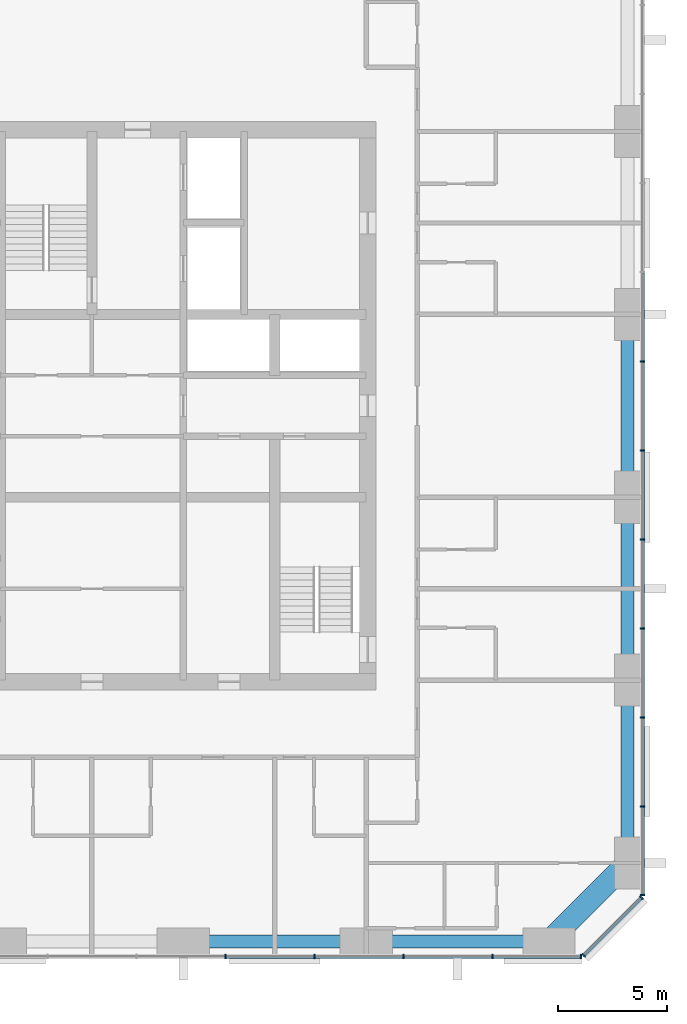
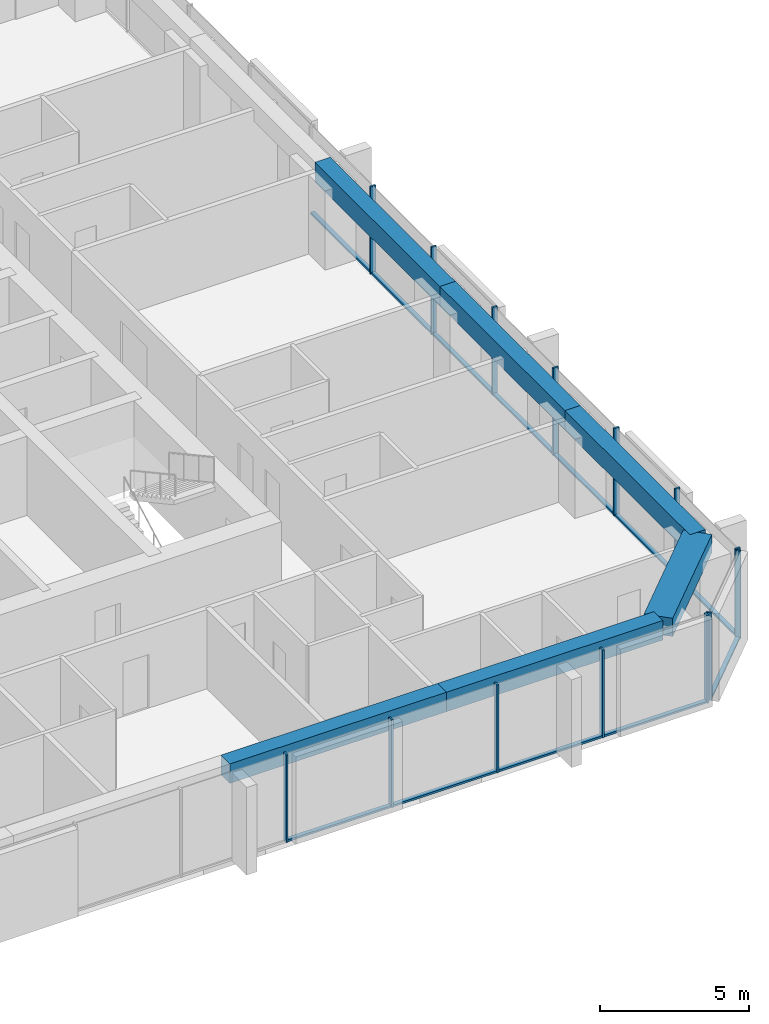
# One storey, part 4 of 13: 26 members, 6 beams, 3 elements without a shape of their own.
"""IFC4 building model written with IfcOpenShell, lengths in metres."""

from ifc_helpers import new_model, si_unit, direction, frame, origin, origin_2d, place, context, subcontext, project, spatial, rectangle, extrude, material, material_profile, profile_set, type_object, element, aggregate, save


model = new_model("IFC4")

# Units and contexts
model_context = context("Model", 3, precision=1e-05, world=origin(), true_north=direction((0.0, 1.0)))
body_context = subcontext(model_context, "Body", "Model", "MODEL_VIEW")
ifc_project = project(units=[si_unit("LENGTHUNIT", "METRE"), si_unit("AREAUNIT", "SQUARE_METRE"), si_unit("VOLUMEUNIT", "CUBIC_METRE"), si_unit("PLANEANGLEUNIT", "RADIAN"), si_unit("MASSUNIT", "GRAM", prefix="KILO")], contexts=[model_context])

# Site, building, storey
site_placement = place(None, origin())
site = spatial("IfcSite", under=ifc_project, at=site_placement, CompositionType="ELEMENT")
building_placement = place(site_placement, origin())
building = spatial("IfcBuilding", under=site, at=building_placement, Name="Dunama Terrace Hotel", CompositionType="ELEMENT")
storey_placement = place(building_placement, frame((0.0, 0.0, 169.800048828125)))
storey = spatial("IfcBuildingStorey", under=building, at=storey_placement, Name="L43", CompositionType="ELEMENT", Elevation=169.800048828125)

# Curtain wall, members
ifc_material_1 = material(Name="Aluminium curtain wall system", Category="aluminium")
curtain_wall_type = type_object("IfcCurtainWallType", Name="Unitised fritted glass wall CW-C", PredefinedType="NOTDEFINED", material=ifc_material_1)
curtain_wall_1_placement = place(storey_placement, origin())
curtain_wall_1 = element("IfcCurtainWall", 1, at=curtain_wall_1_placement, inside=storey, type_object=curtain_wall_type, Name="Unitised fritted glass wall CW-C L43", PredefinedType="NOTDEFINED")
ifc_material_2 = material(Name="Aluminium mullion", Category="aluminium")
ifc_material_profile_1 = material_profile(ifc_material_2, rectangle(XDim=0.070068359375, YDim=0.199951171875, at=origin_2d()), Name="CWC MULLION 70X200")
ifc_profile_set_1 = profile_set([ifc_material_profile_1], Name="Aluminium mullion")
member_type_1 = type_object("IfcMemberType", Name="CWC mullion 70x200", PredefinedType="MULLION", material=ifc_profile_set_1)
member_1_placement = place(storey_placement, frame((35.535888671875, 4.10009765625, 0.0), z_axis=(0.0, 0.0, 1.0), x_axis=(1.0, 0.0, 0.0)))
member_1 = element("IfcMember", 2, at=member_1_placement, type_object=member_type_1, Name="CWC mullion", PredefinedType="MULLION", context=body_context, shape_type="SweptSolid", body=[
    extrude(rectangle(XDim=0.070068359375, YDim=0.199951171875, at=origin_2d()), origin(), (0.0, 0.0, 1.0), 3.599853515625),
])
member_2_placement = place(storey_placement, frame((39.626953125, 4.10009765625, 0.0), z_axis=(0.0, 0.0, 1.0), x_axis=(1.0, 0.0, 0.0)))
member_2 = element("IfcMember", 3, at=member_2_placement, type_object=member_type_1, Name="CWC mullion", PredefinedType="MULLION", context=body_context, shape_type="SweptSolid", body=[
    extrude(rectangle(XDim=0.070068359375, YDim=0.199951171875, at=origin_2d()), origin(), (0.0, 0.0, 1.0), 3.599853515625),
])
member_3_placement = place(storey_placement, frame((43.718017578125, 4.10009765625, 0.0), z_axis=(0.0, 0.0, 1.0), x_axis=(1.0, 0.0, 0.0)))
member_3 = element("IfcMember", 4, at=member_3_placement, type_object=member_type_1, Name="CWC mullion", PredefinedType="MULLION", context=body_context, shape_type="SweptSolid", body=[
    extrude(rectangle(XDim=0.070068359375, YDim=0.199951171875, at=origin_2d()), origin(), (0.0, 0.0, 1.0), 3.599853515625),
])
member_4_placement = place(storey_placement, frame((47.80908203125, 4.10009765625, 0.0), z_axis=(0.0, 0.0, 1.0), x_axis=(1.0, 0.0, 0.0)))
member_4 = element("IfcMember", 5, at=member_4_placement, type_object=member_type_1, Name="CWC mullion", PredefinedType="MULLION", context=body_context, shape_type="SweptSolid", body=[
    extrude(rectangle(XDim=0.070068359375, YDim=0.199951171875, at=origin_2d()), origin(), (0.0, 0.0, 1.0), 3.599853515625),
])
member_5_placement = place(storey_placement, frame((51.864990234375, 4.10009765625, 0.0), z_axis=(0.0, 0.0, 1.0), x_axis=(1.0, 0.0, 0.0)))
member_5 = element("IfcMember", 6, at=member_5_placement, type_object=member_type_1, Name="CWC mullion", PredefinedType="MULLION", context=body_context, shape_type="SweptSolid", body=[
    extrude(rectangle(XDim=0.070068359375, YDim=0.199951171875, at=origin_2d()), origin(), (0.0, 0.0, 1.0), 3.599853515625),
])

curtain_wall_2_placement = place(storey_placement, origin())
curtain_wall_2 = element("IfcCurtainWall", 7, at=curtain_wall_2_placement, inside=storey, type_object=curtain_wall_type, Name="Unitised fritted glass wall CW-C L43", PredefinedType="NOTDEFINED")
member_6_placement = place(storey_placement, frame((51.9951171875, 4.154052734375, 0.0), z_axis=(0.0, 0.0, 1.0), x_axis=(0.707106781187, 0.707106781187, 0.0)))
member_6 = element("IfcMember", 8, at=member_6_placement, type_object=member_type_1, Name="CWC mullion", PredefinedType="MULLION", context=body_context, shape_type="SweptSolid", body=[
    extrude(rectangle(XDim=0.070068359375, YDim=0.199951171875, at=origin_2d()), origin(), (0.0, 0.0, 1.0), 3.599853515625),
])
member_7_placement = place(storey_placement, frame((54.64599609375, 6.804931640625, 0.0), z_axis=(0.0, 0.0, 1.0), x_axis=(0.707106781187, 0.707106781187, 0.0)))
member_7 = element("IfcMember", 9, at=member_7_placement, type_object=member_type_1, Name="CWC mullion", PredefinedType="MULLION", context=body_context, shape_type="SweptSolid", body=[
    extrude(rectangle(XDim=0.070068359375, YDim=0.199951171875, at=origin_2d()), origin(), (0.0, 0.0, 1.0), 3.599853515625),
])

curtain_wall_3_placement = place(storey_placement, origin())
curtain_wall_3 = element("IfcCurtainWall", 10, at=curtain_wall_3_placement, inside=storey, type_object=curtain_wall_type, Name="Unitised fritted glass wall CW-C L43", PredefinedType="NOTDEFINED")
member_8_placement = place(storey_placement, frame((54.699951171875, 6.93505859375, 0.0), z_axis=(0.0, 0.0, 1.0), x_axis=(0.0, 1.0, 0.0)))
member_8 = element("IfcMember", 11, at=member_8_placement, type_object=member_type_1, Name="CWC mullion", PredefinedType="MULLION", context=body_context, shape_type="SweptSolid", body=[
    extrude(rectangle(XDim=0.070068359375, YDim=0.199951171875, at=origin_2d()), origin(), (0.0, 0.0, 1.0), 3.599853515625),
])
member_9_placement = place(storey_placement, frame((54.699951171875, 10.990966796875, 0.0), z_axis=(0.0, 0.0, 1.0), x_axis=(0.0, 1.0, 0.0)))
member_9 = element("IfcMember", 12, at=member_9_placement, type_object=member_type_1, Name="CWC mullion", PredefinedType="MULLION", context=body_context, shape_type="SweptSolid", body=[
    extrude(rectangle(XDim=0.070068359375, YDim=0.199951171875, at=origin_2d()), origin(), (0.0, 0.0, 1.0), 3.599853515625),
])
member_10_placement = place(storey_placement, frame((54.699951171875, 15.08203125, 0.0), z_axis=(0.0, 0.0, 1.0), x_axis=(0.0, 1.0, 0.0)))
member_10 = element("IfcMember", 13, at=member_10_placement, type_object=member_type_1, Name="CWC mullion", PredefinedType="MULLION", context=body_context, shape_type="SweptSolid", body=[
    extrude(rectangle(XDim=0.070068359375, YDim=0.199951171875, at=origin_2d()), origin(), (0.0, 0.0, 1.0), 3.599853515625),
])
member_11_placement = place(storey_placement, frame((54.699951171875, 19.173095703125, 0.0), z_axis=(0.0, 0.0, 1.0), x_axis=(0.0, 1.0, 0.0)))
member_11 = element("IfcMember", 14, at=member_11_placement, type_object=member_type_1, Name="CWC mullion", PredefinedType="MULLION", context=body_context, shape_type="SweptSolid", body=[
    extrude(rectangle(XDim=0.070068359375, YDim=0.199951171875, at=origin_2d()), origin(), (0.0, 0.0, 1.0), 3.599853515625),
])
member_12_placement = place(storey_placement, frame((54.699951171875, 23.263916015625, 0.0), z_axis=(0.0, 0.0, 1.0), x_axis=(0.0, 1.0, 0.0)))
member_12 = element("IfcMember", 15, at=member_12_placement, type_object=member_type_1, Name="CWC mullion", PredefinedType="MULLION", context=body_context, shape_type="SweptSolid", body=[
    extrude(rectangle(XDim=0.070068359375, YDim=0.199951171875, at=origin_2d()), origin(), (0.0, 0.0, 1.0), 3.599853515625),
])
member_13_placement = place(storey_placement, frame((54.699951171875, 27.35498046875, 0.0), z_axis=(0.0, 0.0, 1.0), x_axis=(0.0, 1.0, 0.0)))
member_13 = element("IfcMember", 16, at=member_13_placement, type_object=member_type_1, Name="CWC mullion", PredefinedType="MULLION", context=body_context, shape_type="SweptSolid", body=[
    extrude(rectangle(XDim=0.070068359375, YDim=0.199951171875, at=origin_2d()), origin(), (0.0, 0.0, 1.0), 3.599853515625),
])
member_14_placement = place(storey_placement, frame((54.699951171875, 31.445068359375, 0.0), z_axis=(0.0, 0.0, 1.0), x_axis=(0.0, 1.0, 0.0)))
member_14 = element("IfcMember", 17, at=member_14_placement, type_object=member_type_1, Name="CWC mullion", PredefinedType="MULLION", context=body_context, shape_type="SweptSolid", body=[
    extrude(rectangle(XDim=0.070068359375, YDim=0.199951171875, at=origin_2d()), origin(), (0.0, 0.0, 1.0), 3.599853515625),
])

# Member
ifc_material_3 = material(Name="Aluminium transom", Category="aluminium")
ifc_material_profile_2 = material_profile(ifc_material_3, rectangle(XDim=0.159912109375, YDim=0.080078125, at=origin_2d()), Name="CWC TRANSOM 160X80")
ifc_profile_set_2 = profile_set([ifc_material_profile_2], Name="Aluminium transom")
member_type_2 = type_object("IfcMemberType", Name="CWC transom 160x80", PredefinedType="USERDEFINED", material=ifc_profile_set_2)
member_15_placement = place(storey_placement, frame((35.571044921875, 4.10009765625, 0.0400390625), z_axis=(1.0, 0.0, 0.0), x_axis=(0.0, 1.0, 0.0)))
member_15 = element("IfcMember", 18, at=member_15_placement, type_object=member_type_2, Name="CWC transom", ObjectType="TRANSOM", PredefinedType="USERDEFINED", context=body_context, shape_type="SweptSolid", body=[
    extrude(rectangle(XDim=0.159912109375, YDim=0.080078125, at=origin_2d()), origin(), (0.0, 0.0, 1.0), 4.02099609375),
])

member_16_placement = place(storey_placement, frame((39.662109375, 4.10009765625, 0.0400390625), z_axis=(1.0, 0.0, 0.0), x_axis=(0.0, 1.0, 0.0)))
member_16 = element("IfcMember", 19, at=member_16_placement, type_object=member_type_2, Name="CWC transom", ObjectType="TRANSOM", PredefinedType="USERDEFINED", context=body_context, shape_type="SweptSolid", body=[
    extrude(rectangle(XDim=0.159912109375, YDim=0.080078125, at=origin_2d()), origin(), (0.0, 0.0, 1.0), 4.02099609375),
])

member_17_placement = place(storey_placement, frame((43.7529296875, 4.10009765625, 0.0400390625), z_axis=(1.0, 0.0, 0.0), x_axis=(0.0, 1.0, 0.0)))
member_17 = element("IfcMember", 20, at=member_17_placement, type_object=member_type_2, Name="CWC transom", ObjectType="TRANSOM", PredefinedType="USERDEFINED", context=body_context, shape_type="SweptSolid", body=[
    extrude(rectangle(XDim=0.159912109375, YDim=0.080078125, at=origin_2d()), origin(), (0.0, 0.0, 1.0), 4.02099609375),
])

member_18_placement = place(storey_placement, frame((47.843994140625, 4.10009765625, 0.0400390625), z_axis=(1.0, 0.0, 0.0), x_axis=(0.0, 1.0, 0.0)))
member_18 = element("IfcMember", 21, at=member_18_placement, type_object=member_type_2, Name="CWC transom", ObjectType="TRANSOM", PredefinedType="USERDEFINED", context=body_context, shape_type="SweptSolid", body=[
    extrude(rectangle(XDim=0.159912109375, YDim=0.080078125, at=origin_2d()), origin(), (0.0, 0.0, 1.0), 3.986083984375),
])

aggregate(curtain_wall_1, [member_1, member_2, member_3, member_4, member_5, member_15, member_16, member_17, member_18])

member_19_placement = place(storey_placement, frame((52.02001953125, 4.178955078125, 0.0400390625), z_axis=(0.707106781187, 0.707106781187, 0.0), x_axis=(-0.707106781187, 0.707106781187, 0.0)))
member_19 = element("IfcMember", 22, at=member_19_placement, type_object=member_type_2, Name="CWC transom", ObjectType="TRANSOM", PredefinedType="USERDEFINED", context=body_context, shape_type="SweptSolid", body=[
    extrude(rectangle(XDim=0.159912109375, YDim=0.080078125, at=origin_2d()), origin(), (0.0, 0.0, 1.0), 3.678466796875),
])

aggregate(curtain_wall_2, [member_6, member_7, member_19])

member_20_placement = place(storey_placement, frame((54.699951171875, 6.969970703125, 0.0400390625), z_axis=(0.0, 1.0, 0.0), x_axis=(-1.0, 0.0, 0.0)))
member_20 = element("IfcMember", 23, at=member_20_placement, type_object=member_type_2, Name="CWC transom", ObjectType="TRANSOM", PredefinedType="USERDEFINED", context=body_context, shape_type="SweptSolid", body=[
    extrude(rectangle(XDim=0.159912109375, YDim=0.080078125, at=origin_2d()), origin(), (0.0, 0.0, 1.0), 3.986083984375),
])

member_21_placement = place(storey_placement, frame((54.699951171875, 11.02587890625, 0.0400390625), z_axis=(0.0, 1.0, 0.0), x_axis=(-1.0, 0.0, 0.0)))
member_21 = element("IfcMember", 24, at=member_21_placement, type_object=member_type_2, Name="CWC transom", ObjectType="TRANSOM", PredefinedType="USERDEFINED", context=body_context, shape_type="SweptSolid", body=[
    extrude(rectangle(XDim=0.159912109375, YDim=0.080078125, at=origin_2d()), origin(), (0.0, 0.0, 1.0), 4.021240234375),
])

member_22_placement = place(storey_placement, frame((54.699951171875, 15.116943359375, 0.0400390625), z_axis=(0.0, 1.0, 0.0), x_axis=(-1.0, 0.0, 0.0)))
member_22 = element("IfcMember", 25, at=member_22_placement, type_object=member_type_2, Name="CWC transom", ObjectType="TRANSOM", PredefinedType="USERDEFINED", context=body_context, shape_type="SweptSolid", body=[
    extrude(rectangle(XDim=0.159912109375, YDim=0.080078125, at=origin_2d()), origin(), (0.0, 0.0, 1.0), 4.02099609375),
])

member_23_placement = place(storey_placement, frame((54.699951171875, 19.2080078125, 0.0400390625), z_axis=(0.0, 1.0, 0.0), x_axis=(-1.0, 0.0, 0.0)))
member_23 = element("IfcMember", 26, at=member_23_placement, type_object=member_type_2, Name="CWC transom", ObjectType="TRANSOM", PredefinedType="USERDEFINED", context=body_context, shape_type="SweptSolid", body=[
    extrude(rectangle(XDim=0.159912109375, YDim=0.080078125, at=origin_2d()), origin(), (0.0, 0.0, 1.0), 4.02099609375),
])

member_24_placement = place(storey_placement, frame((54.699951171875, 23.299072265625, 0.0400390625), z_axis=(0.0, 1.0, 0.0), x_axis=(-1.0, 0.0, 0.0)))
member_24 = element("IfcMember", 27, at=member_24_placement, type_object=member_type_2, Name="CWC transom", ObjectType="TRANSOM", PredefinedType="USERDEFINED", context=body_context, shape_type="SweptSolid", body=[
    extrude(rectangle(XDim=0.159912109375, YDim=0.080078125, at=origin_2d()), origin(), (0.0, 0.0, 1.0), 4.02099609375),
])

member_25_placement = place(storey_placement, frame((54.699951171875, 27.389892578125, 0.0400390625), z_axis=(0.0, 1.0, 0.0), x_axis=(-1.0, 0.0, 0.0)))
member_25 = element("IfcMember", 28, at=member_25_placement, type_object=member_type_2, Name="CWC transom", ObjectType="TRANSOM", PredefinedType="USERDEFINED", context=body_context, shape_type="SweptSolid", body=[
    extrude(rectangle(XDim=0.159912109375, YDim=0.080078125, at=origin_2d()), origin(), (0.0, 0.0, 1.0), 4.02001953125),
])

member_26_placement = place(storey_placement, frame((54.699951171875, 31.47998046875, 0.0400390625), z_axis=(0.0, 1.0, 0.0), x_axis=(-1.0, 0.0, 0.0)))
member_26 = element("IfcMember", 29, at=member_26_placement, type_object=member_type_2, Name="CWC transom", ObjectType="TRANSOM", PredefinedType="USERDEFINED", context=body_context, shape_type="SweptSolid", body=[
    extrude(rectangle(XDim=0.159912109375, YDim=0.080078125, at=origin_2d()), origin(), (0.0, 0.0, 1.0), 4.02099609375),
])

aggregate(curtain_wall_3, [member_8, member_9, member_10, member_11, member_12, member_13, member_14, member_20, member_21, member_22, member_23, member_24, member_25, member_26])

# Beams
ifc_material_4 = material(Name="Concrete C50/60", Category="concrete")
ifc_material_profile_3 = material_profile(ifc_material_4, rectangle(XDim=1.0, YDim=0.75, at=origin_2d()), Name="RC 1000x750")
ifc_profile_set_3 = profile_set([ifc_material_profile_3], Name="Concrete C50/60")
beam_type_1 = type_object("IfcBeamType", Name="Edge beam RC 1000x750", PredefinedType="SPANDREL", material=ifc_profile_set_3)
beam_1_placement = place(storey_placement, frame((50.39990234375, 4.800048828125, 3.224853515625), z_axis=(0.707130757816, 0.707082803744, 0.0), x_axis=(-0.707082803744, 0.707130757816, 0.0)))
element("IfcBeam", 30, at=beam_1_placement, inside=storey, type_object=beam_type_1, Name="Corner edge beam under L44", PredefinedType="SPANDREL", context=body_context, shape_type="SweptSolid", body=[
    extrude(rectangle(XDim=1.0, YDim=0.75, at=origin_2d()), origin(), (0.0, 0.0, 1.0), 5.091064453125),
])
ifc_material_5 = material(Name="Concrete C40/50", Category="concrete")
ifc_material_profile_4 = material_profile(ifc_material_5, rectangle(XDim=0.60009765625, YDim=0.800048828125, at=origin_2d()), Name="RC 600x800")
ifc_profile_set_4 = profile_set([ifc_material_profile_4], Name="Concrete C40/50")
beam_type_2 = type_object("IfcBeamType", Name="Edge beam RC 600x800", PredefinedType="SPANDREL", material=ifc_profile_set_4)
beam_2_placement = place(storey_placement, frame((54.0, 8.39990234375, 3.199951171875), z_axis=(0.0, 1.0, 0.0), x_axis=(-1.0, 0.0, 0.0)))
element("IfcBeam", 31, at=beam_2_placement, inside=storey, type_object=beam_type_2, Name="Edge beam under L44", PredefinedType="SPANDREL", context=body_context, shape_type="SweptSolid", body=[
    extrude(rectangle(XDim=0.60009765625, YDim=0.800048828125, at=origin_2d()), origin(), (0.0, 0.0, 1.0), 8.400146484375),
])
beam_3_placement = place(storey_placement, frame((54.0, 16.800048828125, 3.199951171875), z_axis=(0.0, 1.0, 0.0), x_axis=(-1.0, 0.0, 0.0)))
element("IfcBeam", 32, at=beam_3_placement, inside=storey, type_object=beam_type_2, Name="Edge beam under L44", PredefinedType="SPANDREL", context=body_context, shape_type="SweptSolid", body=[
    extrude(rectangle(XDim=0.60009765625, YDim=0.800048828125, at=origin_2d()), origin(), (0.0, 0.0, 1.0), 8.39990234375),
])
beam_4_placement = place(storey_placement, frame((54.0, 25.199951171875, 3.199951171875), z_axis=(0.0, 1.0, 0.0), x_axis=(-1.0, 0.0, 0.0)))
element("IfcBeam", 33, at=beam_4_placement, inside=storey, type_object=beam_type_2, Name="Edge beam under L44", PredefinedType="SPANDREL", context=body_context, shape_type="SweptSolid", body=[
    extrude(rectangle(XDim=0.60009765625, YDim=0.800048828125, at=origin_2d()), origin(), (0.0, 0.0, 1.0), 8.400146484375),
])
for number, where, z_axis, x_axis, name in (
    (34, (33.60009765625, 4.800048828125, 3.199951171875), (1.0, 0.0, 0.0), (0.0, 1.0, 0.0), "Edge beam under L44"),
    (35, (42.0, 4.800048828125, 3.199951171875), (1.0, 0.0, 0.0), (0.0, 1.0, 0.0), "Edge beam under L44"),
):
    element("IfcBeam", number, at=place(storey_placement, frame(where, z_axis=z_axis, x_axis=x_axis)), inside=storey, type_object=beam_type_2, Name=name, PredefinedType="SPANDREL", context=body_context, shape_type="SweptSolid", body=[
        extrude(rectangle(XDim=0.60009765625, YDim=0.800048828125, at=origin_2d()), origin(), (0.0, 0.0, 1.0), 8.39990234375),
    ])

save(model, "model.ifc")
